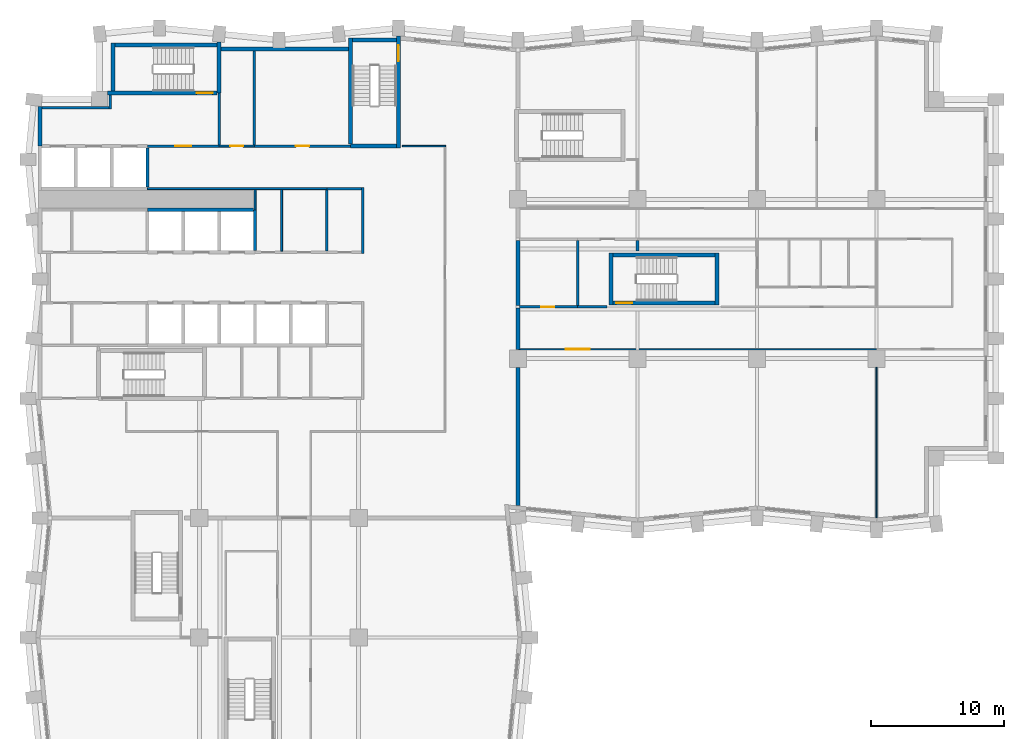
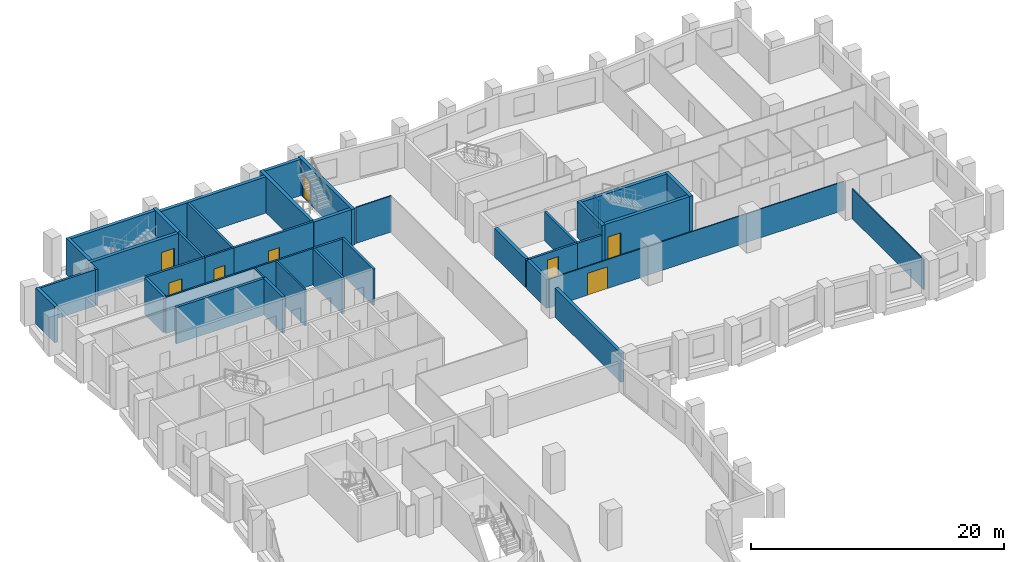
# One storey, part 6 of 11: 40 walls, 8 doors, 8 openings.
"""IFC4 building model written with IfcOpenShell, lengths in metres."""

from ifc_helpers import new_model, si_unit, direction, frame, frame_2d, origin, place, context, subcontext, project, spatial, rectangle, extrude, material, layer, layer_set, type_object, element, fill, save


model = new_model("IFC4")

# Units and contexts
model_context = context("Model", 3, precision=1e-05, world=origin(), true_north=direction((0.0, 1.0)))
body_context = subcontext(model_context, "Body", "Model", "MODEL_VIEW")
ifc_project = project(units=[si_unit("LENGTHUNIT", "METRE"), si_unit("AREAUNIT", "SQUARE_METRE"), si_unit("VOLUMEUNIT", "CUBIC_METRE"), si_unit("PLANEANGLEUNIT", "RADIAN"), si_unit("MASSUNIT", "GRAM", prefix="KILO")], contexts=[model_context])

# Site, building, storey
site_placement = place(None, origin())
site = spatial("IfcSite", under=ifc_project, at=site_placement, CompositionType="ELEMENT")
building_placement = place(site_placement, origin())
building = spatial("IfcBuilding", under=site, at=building_placement, Name="Brondeck Convention Tower", CompositionType="ELEMENT")
storey_placement = place(building_placement, frame((0.0, 0.0, 115.10009765625)))
storey = spatial("IfcBuildingStorey", under=building, at=storey_placement, Name="L27", CompositionType="ELEMENT", Elevation=115.10009765625)

# Walls
ifc_material_1 = material(Name="Concrete compartment wall C30/37", Category="concrete")
ifc_layer_1 = layer(ifc_material_1, 0.300048828125)
ifc_layer_set_1 = layer_set([ifc_layer_1], Name="Compartment wall 300")
wall_type_1 = type_object("IfcWallType", Name="Compartment wall 300", PredefinedType="PARTITIONING", material=ifc_layer_set_1)
wall_1_placement = place(storey_placement, frame((36.0, 27.924560546875, 0.0), z_axis=(0.0, 0.0, 1.0), x_axis=(0.0, 1.0, 0.0)))
element("IfcWall", 1, at=wall_1_placement, inside=storey, type_object=wall_type_1, Name="FLR-L27-W019", PredefinedType="PARTITIONING", context=body_context, shape_type="SweptSolid", body=[
    extrude(rectangle(XDim=10.42041015625, YDim=0.300048828125, at=frame_2d((5.210205078125, 0.0))), origin(), (0.0, 0.0, 1.0), 2.77978515625),
])
wall_2_placement = place(storey_placement, frame((36.0, 39.669921875, 0.0), z_axis=(0.0, 0.0, 1.0), x_axis=(0.0, 1.0, 0.0)))
element("IfcWall", 2, at=wall_2_placement, inside=storey, type_object=wall_type_1, Name="FLR-L27-W027", PredefinedType="PARTITIONING", context=body_context, shape_type="SweptSolid", body=[
    extrude(rectangle(XDim=3.130126953125, YDim=0.300048828125, at=frame_2d((1.56494140625, 0.0))), origin(), (0.0, 0.0, 1.0), 2.77978515625),
])
wall_3_placement = place(storey_placement, frame((36.0, 43.0, 0.0), z_axis=(0.0, 0.0, 1.0), x_axis=(0.0, 1.0, 0.0)))
element("IfcWall", 3, at=wall_3_placement, inside=storey, type_object=wall_type_1, Name="FLR-L27-W033", PredefinedType="PARTITIONING", context=body_context, shape_type="SweptSolid", body=[
    extrude(rectangle(XDim=4.89990234375, YDim=0.300048828125, at=frame_2d((2.449951171875, 0.0))), origin(), (0.0, 0.0, 1.0), 2.77978515625),
])
ifc_material_2 = material(Name="Concrete C70/85", Category="concrete")
ifc_layer_2 = layer(ifc_material_2, 0.199951171875)
ifc_layer_set_2 = layer_set([ifc_layer_2], Name="Core beam-seat wall 200 Concrete C70/85")
wall_type_2 = type_object("IfcWallType", Name="Core beam-seat wall 200 Concrete C70/85", PredefinedType="SHEAR", material=ifc_layer_set_2)
wall_4_placement = place(storey_placement, frame((24.300048828125, 46.89990234375, 0.0), z_axis=(0.0, 0.0, 1.0), x_axis=(0.0, 1.0, 0.0)))
element("IfcWall", 4, at=wall_4_placement, inside=storey, type_object=wall_type_2, Name="L27 core wall", PredefinedType="SHEAR", context=body_context, shape_type="SweptSolid", body=[
    extrude(rectangle(XDim=5.0, YDim=0.199951171875, at=frame_2d((2.5, 0.0))), origin(), (0.0, 0.0, 1.0), 3.5),
])
ifc_layer_3 = layer(ifc_material_2, 0.300048828125)
ifc_layer_set_3 = layer_set([ifc_layer_3], Name="Core outer wall 300 Concrete C70/85")
wall_type_3 = type_object("IfcWallType", Name="Core outer wall 300 Concrete C70/85", PredefinedType="SHEAR", material=ifc_layer_set_3)
wall_5_placement = place(storey_placement, frame((13.64990234375, 62.300048828125, 0.0), z_axis=(0.0, 0.0, 1.0), x_axis=(1.0, 0.0, 0.0)))
element("IfcWall", 5, at=wall_5_placement, inside=storey, type_object=wall_type_3, Name="L27 core wall", PredefinedType="SHEAR", context=body_context, shape_type="SweptSolid", body=[
    extrude(rectangle(XDim=9.60009765625, YDim=0.300048828125, at=frame_2d((4.800048828125, 0.0))), origin(), (0.0, 0.0, 1.0), 3.5),
])
wall_6_placement = place(storey_placement, frame((0.0, 55.0, 0.0), z_axis=(0.0, 0.0, 1.0), x_axis=(0.0, 1.0, 0.0)))
element("IfcWall", 6, at=wall_6_placement, inside=storey, type_object=wall_type_3, Name="L27 core wall", PredefinedType="SHEAR", context=body_context, shape_type="SweptSolid", body=[
    extrude(rectangle(XDim=3.0, YDim=0.300048828125, at=frame_2d((1.5, 0.0))), origin(), (0.0, 0.0, 1.0), 3.5),
])
ifc_material_3 = material(Name="Fire-rated gypsum board partition")
ifc_layer_4 = layer(ifc_material_3, 0.14990234375)
ifc_layer_set_4 = layer_set([ifc_layer_4], Name="Core partition 150 EI 60")
wall_type_4 = type_object("IfcWallType", Name="Core partition 150 EI 60", PredefinedType="PARTITIONING", material=ifc_layer_set_4)
wall_7_placement = place(storey_placement, frame((8.10009765625, 51.800048828125, 0.0), z_axis=(0.0, 0.0, 1.0), x_axis=(1.0, 0.0, 0.0)))
element("IfcWall", 7, at=wall_7_placement, inside=storey, type_object=wall_type_4, Name="L27 core wall", PredefinedType="PARTITIONING", context=body_context, shape_type="SweptSolid", body=[
    extrude(rectangle(XDim=13.5, YDim=0.14990234375, at=frame_2d((6.75, 0.0))), origin(), (0.0, 0.0, 1.0), 3.5),
])

# Wall, opening, door
wall_8_placement = place(storey_placement, frame((13.5, 55.0, 0.0), z_axis=(0.0, 0.0, 1.0), x_axis=(1.0, 0.0, 0.0)))
wall_8 = element("IfcWall", 8, at=wall_8_placement, inside=storey, type_object=wall_type_4, Name="L27 core wall", PredefinedType="PARTITIONING", context=body_context, shape_type="SweptSolid", body=[
    extrude(rectangle(XDim=2.64990234375, YDim=0.14990234375, at=frame_2d((1.324951171875, 0.0))), origin(), (0.0, 0.0, 1.0), 3.5),
])
opening_1_placement = place(wall_8_placement, frame((0.824951171875, 0.0, 0.0)))
opening_1 = element("IfcOpeningElement", 9, at=opening_1_placement, cuts=wall_8, Name="Opening C16-15", PredefinedType="OPENING", context=body_context, shape_type="SweptSolid", body=[
    extrude(rectangle(XDim=1.0, YDim=2.10009765625, at=frame_2d((0.5, 1.050048828125))), frame((0.0, 0.0849609375, 0.0), z_axis=(0.0, -1.0, 0.0), x_axis=(1.0, 0.0, 0.0)), (0.0, 0.0, 1.0), 0.169921875),
])
ifc_material_4 = material(Name="Steel fire door", Category="steel")
door_type_1 = type_object("IfcDoorType", Name="Room door 1000x2100 EI 60", OperationType="NOTDEFINED", PredefinedType="DOOR", material=ifc_material_4)
door_1_placement = place(opening_1_placement, origin())
door_1 = element("IfcDoor", 10, at=door_1_placement, inside=storey, type_object=door_type_1, Name="L27 Room door NE-1", OperationType="SINGLE_SWING_LEFT", OverallHeight=2.10009765625, OverallWidth=1.0, PredefinedType="DOOR", context=body_context, shape_type="SweptSolid", body=[
    extrude(rectangle(XDim=1.0, YDim=2.10009765625, at=frame_2d((0.5, 1.050048828125))), frame((0.0, 0.02490234375, 0.0), z_axis=(0.0, -1.0, 0.0), x_axis=(1.0, 0.0, 0.0)), (0.0, 0.0, 1.0), 0.050048828125),
])
fill(opening_1, door_1)

# Walls
wall_9_placement = place(storey_placement, frame((16.199951171875, 50.199951171875, 0.0), z_axis=(0.0, 0.0, 1.0), x_axis=(0.0, 1.0, 0.0)))
element("IfcWall", 11, at=wall_9_placement, inside=storey, type_object=wall_type_4, Name="L27 core wall", PredefinedType="PARTITIONING", context=body_context, shape_type="SweptSolid", body=[
    extrude(rectangle(XDim=1.525146484375, YDim=0.14990234375, at=frame_2d((0.7626953125, 0.0))), origin(), (0.0, 0.0, 1.0), 3.5),
])
wall_10_placement = place(storey_placement, frame((18.199951171875, 47.10009765625, 0.0), z_axis=(0.0, 0.0, 1.0), x_axis=(0.0, 1.0, 0.0)))
element("IfcWall", 12, at=wall_10_placement, inside=storey, type_object=wall_type_4, Name="L27 core wall", PredefinedType="PARTITIONING", context=body_context, shape_type="SweptSolid", body=[
    extrude(rectangle(XDim=4.625, YDim=0.14990234375, at=frame_2d((2.3125, 0.0))), origin(), (0.0, 0.0, 1.0), 3.5),
])

# Wall, opening, door
ifc_layer_5 = layer(ifc_material_3, 0.199951171875)
ifc_layer_set_5 = layer_set([ifc_layer_5], Name="Firefighting lobby wall 200 EI 120")
wall_type_5 = type_object("IfcWallType", Name="Firefighting lobby wall 200 EI 120", PredefinedType="PARTITIONING", material=ifc_layer_set_5)
wall_11_placement = place(storey_placement, frame((8.10009765625, 55.0, 0.0), z_axis=(0.0, 0.0, 1.0), x_axis=(1.0, 0.0, 0.0)))
wall_11 = element("IfcWall", 13, at=wall_11_placement, inside=storey, type_object=wall_type_5, Name="L27 core wall", PredefinedType="PARTITIONING", context=body_context, shape_type="SweptSolid", body=[
    extrude(rectangle(XDim=5.39990234375, YDim=0.199951171875, at=frame_2d((2.699951171875, 0.0))), origin(), (0.0, 0.0, 1.0), 3.5),
])
opening_2_placement = place(wall_11_placement, frame((2.10009765625, 0.0, 0.0)))
opening_2 = element("IfcOpeningElement", 14, at=opening_2_placement, cuts=wall_11, Name="Opening C16-01", PredefinedType="OPENING", context=body_context, shape_type="SweptSolid", body=[
    extrude(rectangle(XDim=1.199951171875, YDim=2.199951171875, at=frame_2d((0.60009765625, 1.10009765625))), frame((0.0, 0.10986328125, 0.0), z_axis=(0.0, -1.0, 0.0), x_axis=(1.0, 0.0, 0.0)), (0.0, 0.0, 1.0), 0.219970703125),
])
door_type_2 = type_object("IfcDoorType", Name="Firefighting lobby door 1200x2200 EI 120", OperationType="NOTDEFINED", PredefinedType="DOOR", material=ifc_material_4)
door_2_placement = place(opening_2_placement, origin())
door_2 = element("IfcDoor", 15, at=door_2_placement, inside=storey, type_object=door_type_2, Name="L27 Firefighting lobby door FFL-1", OperationType="SINGLE_SWING_RIGHT", OverallHeight=2.199951171875, OverallWidth=1.199951171875, PredefinedType="DOOR", context=body_context, shape_type="SweptSolid", body=[
    extrude(rectangle(XDim=1.199951171875, YDim=2.199951171875, at=frame_2d((0.60009765625, 1.10009765625))), frame((0.0, 0.02490234375, 0.0), z_axis=(0.0, -1.0, 0.0), x_axis=(1.0, 0.0, 0.0)), (0.0, 0.0, 1.0), 0.050048828125),
])
fill(opening_2, door_2)

# Walls
wall_12_placement = place(storey_placement, frame((0.14990234375, 57.89990234375, 0.0), z_axis=(0.0, 0.0, 1.0), x_axis=(1.0, 0.0, 0.0)))
element("IfcWall", 16, at=wall_12_placement, inside=storey, type_object=wall_type_5, Name="L27 core wall", PredefinedType="PARTITIONING", context=body_context, shape_type="SweptSolid", body=[
    extrude(rectangle(XDim=5.050048828125, YDim=0.199951171875, at=frame_2d((2.52490234375, 0.0))), origin(), (0.0, 0.0, 1.0), 3.5),
])
wall_13_placement = place(storey_placement, frame((5.300048828125, 57.800048828125, 0.0), z_axis=(0.0, 0.0, 1.0), x_axis=(0.0, 1.0, 0.0)))
element("IfcWall", 17, at=wall_13_placement, inside=storey, type_object=wall_type_5, Name="L27 core wall", PredefinedType="PARTITIONING", context=body_context, shape_type="SweptSolid", body=[
    extrude(rectangle(XDim=1.050048828125, YDim=0.199951171875, at=frame_2d((0.52490234375, 0.0))), origin(), (0.0, 0.0, 1.0), 3.5),
])
wall_14_placement = place(storey_placement, frame((13.5, 55.10009765625, 0.0), z_axis=(0.0, 0.0, 1.0), x_axis=(0.0, 1.0, 0.0)))
element("IfcWall", 18, at=wall_14_placement, inside=storey, type_object=wall_type_5, Name="L27 core wall", PredefinedType="PARTITIONING", context=body_context, shape_type="SweptSolid", body=[
    extrude(rectangle(XDim=3.89990234375, YDim=0.199951171875, at=frame_2d((1.949951171875, 0.0))), origin(), (0.0, 0.0, 1.0), 3.5),
])
ifc_layer_6 = layer(ifc_material_2, 0.25)
ifc_layer_set_6 = layer_set([ifc_layer_6], Name="Lift shaft wall 250 Concrete C70/85")
wall_type_6 = type_object("IfcWallType", Name="Lift shaft wall 250 Concrete C70/85", PredefinedType="SHEAR", material=ifc_layer_set_6)
wall_15_placement = place(storey_placement, frame((8.10009765625, 50.199951171875, 0.0), z_axis=(0.0, 0.0, 1.0), x_axis=(1.0, 0.0, 0.0)))
element("IfcWall", 19, at=wall_15_placement, inside=storey, type_object=wall_type_6, Name="L27 core wall", PredefinedType="SHEAR", context=body_context, shape_type="SweptSolid", body=[
    extrude(rectangle(XDim=7.974853515625, YDim=0.25, at=frame_2d((3.9873046875, 0.0))), origin(), (0.0, 0.0, 1.0), 3.5),
])
wall_16_placement = place(storey_placement, frame((8.10009765625, 51.925048828125, 0.0), z_axis=(0.0, 0.0, 1.0), x_axis=(0.0, 1.0, 0.0)))
element("IfcWall", 20, at=wall_16_placement, inside=storey, type_object=wall_type_6, Name="L27 core wall", PredefinedType="SHEAR", context=body_context, shape_type="SweptSolid", body=[
    extrude(rectangle(XDim=2.949951171875, YDim=0.25, at=frame_2d((1.47509765625, 0.0))), origin(), (0.0, 0.0, 1.0), 3.5),
])
wall_17_placement = place(storey_placement, frame((16.199951171875, 47.125, 0.0), z_axis=(0.0, 0.0, 1.0), x_axis=(0.0, 1.0, 0.0)))
element("IfcWall", 21, at=wall_17_placement, inside=storey, type_object=wall_type_6, Name="L27 core wall", PredefinedType="SHEAR", context=body_context, shape_type="SweptSolid", body=[
    extrude(rectangle(XDim=3.074951171875, YDim=0.25, at=frame_2d((1.53759765625, 0.0))), origin(), (0.0, 0.0, 1.0), 3.5),
])

# Wall, opening, door
ifc_material_5 = material(Name="Concrete block wall C16/20", Category="concrete")
ifc_layer_7 = layer(ifc_material_5, 0.199951171875)
ifc_layer_set_7 = layer_set([ifc_layer_7], Name="Plant room wall 200")
wall_type_7 = type_object("IfcWallType", Name="Plant room wall 200", PredefinedType="PARTITIONING", material=ifc_layer_set_7)
wall_18_placement = place(storey_placement, frame((36.10009765625, 42.89990234375, 0.0), z_axis=(0.0, 0.0, 1.0), x_axis=(1.0, 0.0, 0.0)))
wall_18 = element("IfcWall", 22, at=wall_18_placement, inside=storey, type_object=wall_type_7, Name="FLR-L27-W028", PredefinedType="PARTITIONING", context=body_context, shape_type="SweptSolid", body=[
    extrude(rectangle(XDim=4.39990234375, YDim=0.199951171875, at=frame_2d((2.199951171875, 0.0))), origin(), (0.0, 0.0, 1.0), 2.77978515625),
])
opening_3_placement = place(wall_18_placement, frame((1.64990234375, 0.0, 0.0)))
opening_3 = element("IfcOpeningElement", 23, at=opening_3_placement, cuts=wall_18, Name="Opening OF-C-002", PredefinedType="OPENING", context=body_context, shape_type="SweptSolid", body=[
    extrude(rectangle(XDim=1.0, YDim=2.10009765625, at=frame_2d((0.5, 1.050048828125))), frame((0.0, 0.10986328125, 0.0), z_axis=(0.0, -1.0, 0.0), x_axis=(1.0, 0.0, 0.0)), (0.0, 0.0, 1.0), 0.219970703125),
])
ifc_material_6 = material(Name="Steel fire door leaf", Category="steel")
door_type_3 = type_object("IfcDoorType", Name="Plant room door 1000", OperationType="NOTDEFINED", PredefinedType="DOOR", material=ifc_material_6)
door_3_placement = place(opening_3_placement, origin())
door_3 = element("IfcDoor", 24, at=door_3_placement, inside=storey, type_object=door_type_3, Name="Door OF-C-002", OperationType="SINGLE_SWING_RIGHT", OverallHeight=2.10009765625, OverallWidth=1.0, PredefinedType="DOOR", context=body_context, shape_type="SweptSolid", body=[
    extrude(rectangle(XDim=1.0, YDim=2.10009765625, at=frame_2d((0.5, 1.050048828125))), frame((0.0, 0.02490234375, 0.0), z_axis=(0.0, -1.0, 0.0), x_axis=(1.0, 0.0, 0.0)), (0.0, 0.0, 1.0), 0.050048828125),
])
fill(opening_3, door_3)

# Walls
wall_19_placement = place(storey_placement, frame((40.5, 42.89990234375, 0.0), z_axis=(0.0, 0.0, 1.0), x_axis=(1.0, 0.0, 0.0)))
element("IfcWall", 25, at=wall_19_placement, inside=storey, type_object=wall_type_7, Name="FLR-L27-W029", PredefinedType="PARTITIONING", context=body_context, shape_type="SweptSolid", body=[
    extrude(rectangle(XDim=2.199951171875, YDim=0.199951171875, at=frame_2d((1.10009765625, 0.0))), origin(), (0.0, 0.0, 1.0), 2.77978515625),
])
wall_20_placement = place(storey_placement, frame((40.5, 47.89990234375, 0.0), z_axis=(0.0, 0.0, 1.0), x_axis=(0.0, -1.0, 0.0)))
element("IfcWall", 26, at=wall_20_placement, inside=storey, type_object=wall_type_7, Name="FLR-L27-W039", PredefinedType="PARTITIONING", context=body_context, shape_type="SweptSolid", body=[
    extrude(rectangle(XDim=4.89990234375, YDim=0.199951171875, at=frame_2d((2.449951171875, 0.0))), origin(), (0.0, 0.0, 1.0), 2.77978515625),
])
wall_21_placement = place(storey_placement, frame((45.0, 47.89990234375, 0.0), z_axis=(0.0, 0.0, 1.0), x_axis=(0.0, -1.0, 0.0)))
element("IfcWall", 27, at=wall_21_placement, inside=storey, type_object=wall_type_7, Name="FLR-L27-W040", PredefinedType="PARTITIONING", context=body_context, shape_type="SweptSolid", body=[
    extrude(rectangle(XDim=0.7998046875, YDim=0.199951171875, at=frame_2d((0.39990234375, 0.0))), origin(), (0.0, 0.0, 1.0), 2.77978515625),
])
ifc_layer_8 = layer(ifc_material_3, 0.199951171875)
ifc_layer_set_8 = layer_set([ifc_layer_8], Name="Riser wall 200 EI 120")
wall_type_8 = type_object("IfcWallType", Name="Riser wall 200 EI 120", PredefinedType="PARTITIONING", material=ifc_layer_set_8)
wall_22_placement = place(storey_placement, frame((21.60009765625, 51.800048828125, 0.0), z_axis=(0.0, 0.0, 1.0), x_axis=(1.0, 0.0, 0.0)))
element("IfcWall", 28, at=wall_22_placement, inside=storey, type_object=wall_type_8, Name="L27 core wall", PredefinedType="PARTITIONING", context=body_context, shape_type="SweptSolid", body=[
    extrude(rectangle(XDim=2.599853515625, YDim=0.199951171875, at=frame_2d((1.2998046875, 0.0))), origin(), (0.0, 0.0, 1.0), 3.5),
])

# Wall, opening, door
wall_23_placement = place(storey_placement, frame((16.14990234375, 55.0, 0.0), z_axis=(0.0, 0.0, 1.0), x_axis=(1.0, 0.0, 0.0)))
wall_23 = element("IfcWall", 29, at=wall_23_placement, inside=storey, type_object=wall_type_8, Name="L27 core wall", PredefinedType="PARTITIONING", context=body_context, shape_type="SweptSolid", body=[
    extrude(rectangle(XDim=7.25, YDim=0.199951171875, at=frame_2d((3.625, 0.0))), origin(), (0.0, 0.0, 1.0), 3.5),
])
opening_4_placement = place(wall_23_placement, frame((3.125, 0.0, 0.0)))
opening_4 = element("IfcOpeningElement", 30, at=opening_4_placement, cuts=wall_23, Name="Opening C16-16", PredefinedType="OPENING", context=body_context, shape_type="SweptSolid", body=[
    extrude(rectangle(XDim=1.0, YDim=2.10009765625, at=frame_2d((0.5, 1.050048828125))), frame((0.0, 0.10986328125, 0.0), z_axis=(0.0, -1.0, 0.0), x_axis=(1.0, 0.0, 0.0)), (0.0, 0.0, 1.0), 0.219970703125),
])
door_type_4 = type_object("IfcDoorType", Name="Riser door 1000x2100 EI 120", OperationType="NOTDEFINED", PredefinedType="DOOR", material=ifc_material_4)
door_4_placement = place(opening_4_placement, origin())
door_4 = element("IfcDoor", 31, at=door_4_placement, inside=storey, type_object=door_type_4, Name="L27 Riser door NE-2", OperationType="SINGLE_SWING_RIGHT", OverallHeight=2.10009765625, OverallWidth=1.0, PredefinedType="DOOR", context=body_context, shape_type="SweptSolid", body=[
    extrude(rectangle(XDim=1.0, YDim=2.10009765625, at=frame_2d((0.5, 1.050048828125))), frame((0.0, 0.02490234375, 0.0), z_axis=(0.0, -1.0, 0.0), x_axis=(1.0, 0.0, 0.0)), (0.0, 0.0, 1.0), 0.050048828125),
])
fill(opening_4, door_4)

# Walls
wall_24_placement = place(storey_placement, frame((16.14990234375, 55.10009765625, 0.0), z_axis=(0.0, 0.0, 1.0), x_axis=(0.0, 1.0, 0.0)))
element("IfcWall", 32, at=wall_24_placement, inside=storey, type_object=wall_type_8, Name="L27 core wall", PredefinedType="PARTITIONING", context=body_context, shape_type="SweptSolid", body=[
    extrude(rectangle(XDim=7.0498046875, YDim=0.199951171875, at=frame_2d((3.52490234375, 0.0))), origin(), (0.0, 0.0, 1.0), 3.5),
])
wall_25_placement = place(storey_placement, frame((21.60009765625, 47.10009765625, 0.0), z_axis=(0.0, 0.0, 1.0), x_axis=(0.0, 1.0, 0.0)))
element("IfcWall", 33, at=wall_25_placement, inside=storey, type_object=wall_type_8, Name="L27 core wall", PredefinedType="PARTITIONING", context=body_context, shape_type="SweptSolid", body=[
    extrude(rectangle(XDim=4.599853515625, YDim=0.199951171875, at=frame_2d((2.2998046875, 0.0))), origin(), (0.0, 0.0, 1.0), 3.5),
])
ifc_material_7 = material(Name="Gypsum board partition on steel studs", Category="steel")
ifc_layer_9 = layer(ifc_material_7, 0.10009765625)
ifc_layer_set_9 = layer_set([ifc_layer_9], Name="Room partition 100")
wall_type_9 = type_object("IfcWallType", Name="Room partition 100", PredefinedType="PARTITIONING", material=ifc_layer_set_9)
wall_26_placement = place(storey_placement, frame((63.0, 38.344970703125, 0.0), z_axis=(0.0, 0.0, 1.0), x_axis=(0.0, -1.0, 0.0)))
element("IfcWall", 34, at=wall_26_placement, inside=storey, type_object=wall_type_9, Name="FLR-L27-W024", PredefinedType="PARTITIONING", context=body_context, shape_type="SweptSolid", body=[
    extrude(rectangle(XDim=11.320556640625, YDim=0.10009765625, at=frame_2d((5.66015625, 0.0))), origin(), (0.0, 0.0, 1.0), 2.8798828125),
])

# Wall, opening, door
wall_27_placement = place(storey_placement, frame((63.0, 39.699951171875, 0.0), z_axis=(0.0, 0.0, 1.0), x_axis=(-1.0, 0.0, 0.0)))
wall_27 = element("IfcWall", 35, at=wall_27_placement, inside=storey, type_object=wall_type_9, Name="FLR-L27-W025", PredefinedType="PARTITIONING", context=body_context, shape_type="SweptSolid", body=[
    extrude(rectangle(XDim=26.949951171875, YDim=0.10009765625, at=frame_2d((13.47509765625, 0.0))), origin(), (0.0, 0.0, 1.0), 2.77978515625),
])
opening_5_placement = place(wall_27_placement, frame((21.60009765625, 0.0, 0.0)))
opening_5 = element("IfcOpeningElement", 36, at=opening_5_placement, cuts=wall_27, Name="Opening OF-C-010", PredefinedType="OPENING", context=body_context, shape_type="SweptSolid", body=[
    extrude(rectangle(XDim=1.800048828125, YDim=2.10009765625, at=frame_2d((0.89990234375, 1.050048828125))), frame((0.0, 0.06005859375, 0.0), z_axis=(0.0, -1.0, 0.0), x_axis=(1.0, 0.0, 0.0)), (0.0, 0.0, 1.0), 0.1201171875),
])
ifc_material_8 = material(Name="Glazed timber double door", Category="wood")
door_type_5 = type_object("IfcDoorType", Name="Double door 1800", OperationType="DOUBLE_DOOR_SINGLE_SWING", PredefinedType="DOOR", material=ifc_material_8)
door_5_placement = place(opening_5_placement, origin())
door_5 = element("IfcDoor", 37, at=door_5_placement, inside=storey, type_object=door_type_5, Name="Door OF-C-010", OperationType="DOUBLE_DOOR_SINGLE_SWING", OverallHeight=2.10009765625, OverallWidth=1.800048828125, PredefinedType="DOOR", context=body_context, shape_type="SweptSolid", body=[
    extrude(rectangle(XDim=1.800048828125, YDim=2.10009765625, at=frame_2d((0.89990234375, 1.050048828125))), frame((0.0, 0.02490234375, 0.0), z_axis=(0.0, -1.0, 0.0), x_axis=(1.0, 0.0, 0.0)), (0.0, 0.0, 1.0), 0.050048828125),
])
fill(opening_5, door_5)

# Wall
wall_28_placement = place(storey_placement, frame((27.300048828125, 55.0, 0.0), z_axis=(0.0, 0.0, 1.0), x_axis=(1.0, 0.0, 0.0)))
element("IfcWall", 38, at=wall_28_placement, inside=storey, type_object=wall_type_9, Name="FLR-L27-W065", PredefinedType="PARTITIONING", context=body_context, shape_type="SweptSolid", body=[
    extrude(rectangle(XDim=3.25, YDim=0.10009765625, at=frame_2d((1.625, 0.0))), origin(), (0.0, 0.0, 1.0), 3.47998046875),
])

# Wall, opening, door
ifc_layer_10 = layer(ifc_material_2, 0.300048828125)
ifc_layer_set_10 = layer_set([ifc_layer_10], Name="Stair enclosure wall 300 Concrete C70/85")
wall_type_10 = type_object("IfcWallType", Name="Stair enclosure wall 300 Concrete C70/85", PredefinedType="SHEAR", material=ifc_layer_set_10)
wall_29_placement = place(storey_placement, frame((43.14990234375, 43.199951171875, 0.0), z_axis=(0.0, 0.0, 1.0), x_axis=(1.0, 0.0, 0.0)))
wall_29 = element("IfcWall", 39, at=wall_29_placement, inside=storey, type_object=wall_type_10, Name="L27 core wall", PredefinedType="SHEAR", context=body_context, shape_type="SweptSolid", body=[
    extrude(rectangle(XDim=7.7001953125, YDim=0.300048828125, at=frame_2d((3.85009765625, 0.0))), origin(), (0.0, 0.0, 1.0), 3.5),
])
opening_6_placement = place(wall_29_placement, frame((0.25, 0.0, 0.0)))
opening_6 = element("IfcOpeningElement", 40, at=opening_6_placement, cuts=wall_29, Name="Opening C16-21", PredefinedType="OPENING", context=body_context, shape_type="SweptSolid", body=[
    extrude(rectangle(XDim=1.199951171875, YDim=2.199951171875, at=frame_2d((0.60009765625, 1.10009765625))), frame((0.0, 0.159912109375, 0.0), z_axis=(0.0, -1.0, 0.0), x_axis=(1.0, 0.0, 0.0)), (0.0, 0.0, 1.0), 0.320068359375),
])
door_type_6 = type_object("IfcDoorType", Name="Stair door 1200x2200 EI 90", OperationType="NOTDEFINED", PredefinedType="DOOR", material=ifc_material_4)
door_6_placement = place(opening_6_placement, origin())
door_6 = element("IfcDoor", 41, at=door_6_placement, inside=storey, type_object=door_type_6, Name="L27 Stair door ST-AF", OperationType="SINGLE_SWING_RIGHT", OverallHeight=2.199951171875, OverallWidth=1.199951171875, PredefinedType="DOOR", context=body_context, shape_type="SweptSolid", body=[
    extrude(rectangle(XDim=1.199951171875, YDim=2.199951171875, at=frame_2d((0.60009765625, 1.10009765625))), frame((0.0, 0.02490234375, 0.0), z_axis=(0.0, -1.0, 0.0), x_axis=(1.0, 0.0, 0.0)), (0.0, 0.0, 1.0), 0.050048828125),
])
fill(opening_6, door_6)

# Walls
wall_30_placement = place(storey_placement, frame((43.14990234375, 46.800048828125, 0.0), z_axis=(0.0, 0.0, 1.0), x_axis=(1.0, 0.0, 0.0)))
element("IfcWall", 42, at=wall_30_placement, inside=storey, type_object=wall_type_10, Name="L27 core wall", PredefinedType="SHEAR", context=body_context, shape_type="SweptSolid", body=[
    extrude(rectangle(XDim=7.7001953125, YDim=0.300048828125, at=frame_2d((3.85009765625, 0.0))), origin(), (0.0, 0.0, 1.0), 3.5),
])
wall_31_placement = place(storey_placement, frame((23.39990234375, 55.0, 0.0), z_axis=(0.0, 0.0, 1.0), x_axis=(1.0, 0.0, 0.0)))
element("IfcWall", 43, at=wall_31_placement, inside=storey, type_object=wall_type_10, Name="L27 core wall", PredefinedType="SHEAR", context=body_context, shape_type="SweptSolid", body=[
    extrude(rectangle(XDim=3.4501953125, YDim=0.300048828125, at=frame_2d((1.72509765625, 0.0))), origin(), (0.0, 0.0, 1.0), 3.5),
])

# Wall, opening, door
wall_32_placement = place(storey_placement, frame((5.10009765625, 59.0, 0.0), z_axis=(0.0, 0.0, 1.0), x_axis=(1.0, 0.0, 0.0)))
wall_32 = element("IfcWall", 44, at=wall_32_placement, inside=storey, type_object=wall_type_10, Name="L27 core wall", PredefinedType="SHEAR", context=body_context, shape_type="SweptSolid", body=[
    extrude(rectangle(XDim=8.25, YDim=0.300048828125, at=frame_2d((4.125, 0.0))), origin(), (0.0, 0.0, 1.0), 3.5),
])
opening_7_placement = place(wall_32_placement, frame((6.699951171875, 0.0, 0.0)))
opening_7 = element("IfcOpeningElement", 45, at=opening_7_placement, cuts=wall_32, Name="Opening C16-19", PredefinedType="OPENING", context=body_context, shape_type="SweptSolid", body=[
    extrude(rectangle(XDim=1.199951171875, YDim=2.199951171875, at=frame_2d((0.60009765625, 1.10009765625))), frame((0.0, 0.159912109375, 0.0), z_axis=(0.0, -1.0, 0.0), x_axis=(1.0, 0.0, 0.0)), (0.0, 0.0, 1.0), 0.320068359375),
])
door_type_7 = type_object("IfcDoorType", Name="Stair door 1200x2200 EI 120", OperationType="NOTDEFINED", PredefinedType="DOOR", material=ifc_material_4)
door_7_placement = place(opening_7_placement, origin())
door_7 = element("IfcDoor", 46, at=door_7_placement, inside=storey, type_object=door_type_7, Name="L27 Stair door ST-3", OperationType="SINGLE_SWING_RIGHT", OverallHeight=2.199951171875, OverallWidth=1.199951171875, PredefinedType="DOOR", context=body_context, shape_type="SweptSolid", body=[
    extrude(rectangle(XDim=1.199951171875, YDim=2.199951171875, at=frame_2d((0.60009765625, 1.10009765625))), frame((0.0, 0.02490234375, 0.0), z_axis=(0.0, -1.0, 0.0), x_axis=(1.0, 0.0, 0.0)), (0.0, 0.0, 1.0), 0.050048828125),
])
fill(opening_7, door_7)

# Walls
wall_33_placement = place(storey_placement, frame((5.64990234375, 62.60009765625, 0.0), z_axis=(0.0, 0.0, 1.0), x_axis=(1.0, 0.0, 0.0)))
element("IfcWall", 47, at=wall_33_placement, inside=storey, type_object=wall_type_10, Name="L27 core wall", PredefinedType="SHEAR", context=body_context, shape_type="SweptSolid", body=[
    extrude(rectangle(XDim=7.7001953125, YDim=0.300048828125, at=frame_2d((3.85009765625, 0.0))), origin(), (0.0, 0.0, 1.0), 3.5),
])
wall_34_placement = place(storey_placement, frame((23.550048828125, 63.0, 0.0), z_axis=(0.0, 0.0, 1.0), x_axis=(1.0, 0.0, 0.0)))
element("IfcWall", 48, at=wall_34_placement, inside=storey, type_object=wall_type_10, Name="L27 core wall", PredefinedType="SHEAR", context=body_context, shape_type="SweptSolid", body=[
    extrude(rectangle(XDim=3.300048828125, YDim=0.300048828125, at=frame_2d((1.64990234375, 0.0))), origin(), (0.0, 0.0, 1.0), 3.5),
])
wall_35_placement = place(storey_placement, frame((5.5, 59.14990234375, 0.0), z_axis=(0.0, 0.0, 1.0), x_axis=(0.0, 1.0, 0.0)))
element("IfcWall", 49, at=wall_35_placement, inside=storey, type_object=wall_type_10, Name="L27 core wall", PredefinedType="SHEAR", context=body_context, shape_type="SweptSolid", body=[
    extrude(rectangle(XDim=3.60009765625, YDim=0.300048828125, at=frame_2d((1.800048828125, 0.0))), origin(), (0.0, 0.0, 1.0), 3.5),
])
wall_36_placement = place(storey_placement, frame((13.5, 59.0, 0.0), z_axis=(0.0, 0.0, 1.0), x_axis=(0.0, 1.0, 0.0)))
element("IfcWall", 50, at=wall_36_placement, inside=storey, type_object=wall_type_10, Name="L27 core wall", PredefinedType="SHEAR", context=body_context, shape_type="SweptSolid", body=[
    extrude(rectangle(XDim=3.846923828125, YDim=0.300048828125, at=frame_2d((1.92333984375, 0.0))), origin(), (0.0, 0.0, 1.0), 3.5),
])
wall_37_placement = place(storey_placement, frame((23.39990234375, 55.14990234375, 0.0), z_axis=(0.0, 0.0, 1.0), x_axis=(0.0, 1.0, 0.0)))
element("IfcWall", 51, at=wall_37_placement, inside=storey, type_object=wall_type_10, Name="L27 core wall", PredefinedType="SHEAR", context=body_context, shape_type="SweptSolid", body=[
    extrude(rectangle(XDim=8.0, YDim=0.300048828125, at=frame_2d((4.0, 0.0))), origin(), (0.0, 0.0, 1.0), 3.5),
])

# Wall, opening, door
wall_38_placement = place(storey_placement, frame((27.0, 54.85009765625, 0.0), z_axis=(0.0, 0.0, 1.0), x_axis=(0.0, 1.0, 0.0)))
wall_38 = element("IfcWall", 52, at=wall_38_placement, inside=storey, type_object=wall_type_10, Name="L27 core wall", PredefinedType="SHEAR", context=body_context, shape_type="SweptSolid", body=[
    extrude(rectangle(XDim=8.449951171875, YDim=0.300048828125, at=frame_2d((4.22509765625, 0.0))), origin(), (0.0, 0.0, 1.0), 3.5),
])
opening_8_placement = place(wall_38_placement, frame((6.550048828125, 0.0, 0.0)))
opening_8 = element("IfcOpeningElement", 53, at=opening_8_placement, cuts=wall_38, Name="Opening C16-18", PredefinedType="OPENING", context=body_context, shape_type="SweptSolid", body=[
    extrude(rectangle(XDim=1.199951171875, YDim=2.199951171875, at=frame_2d((0.60009765625, 1.10009765625))), frame((0.0, 0.159912109375, 0.0), z_axis=(0.0, -1.0, 0.0), x_axis=(1.0, 0.0, 0.0)), (0.0, 0.0, 1.0), 0.320068359375),
])
door_8_placement = place(opening_8_placement, origin())
door_8 = element("IfcDoor", 54, at=door_8_placement, inside=storey, type_object=door_type_6, Name="L27 Stair door ST-2", OperationType="SINGLE_SWING_LEFT", OverallHeight=2.199951171875, OverallWidth=1.199951171875, PredefinedType="DOOR", context=body_context, shape_type="SweptSolid", body=[
    extrude(rectangle(XDim=1.199951171875, YDim=2.199951171875, at=frame_2d((0.60009765625, 1.10009765625))), frame((0.0, 0.02490234375, 0.0), z_axis=(0.0, -1.0, 0.0), x_axis=(1.0, 0.0, 0.0)), (0.0, 0.0, 1.0), 0.050048828125),
])
fill(opening_8, door_8)

# Walls
for number, where, z_axis, x_axis, name in (
    (55, (43.0, 43.050048828125, 0.0), (0.0, 0.0, 1.0), (0.0, 1.0, 0.0), "L27 core wall"),
    (56, (51.0, 43.050048828125, 0.0), (0.0, 0.0, 1.0), (0.0, 1.0, 0.0), "L27 core wall"),
):
    element("IfcWall", number, at=place(storey_placement, frame(where, z_axis=z_axis, x_axis=x_axis)), inside=storey, type_object=wall_type_10, Name=name, PredefinedType="SHEAR", context=body_context, shape_type="SweptSolid", body=[
        extrude(rectangle(XDim=3.89990234375, YDim=0.300048828125, at=frame_2d((1.949951171875, 0.0))), origin(), (0.0, 0.0, 1.0), 3.5),
    ])

save(model, "model.ifc")
